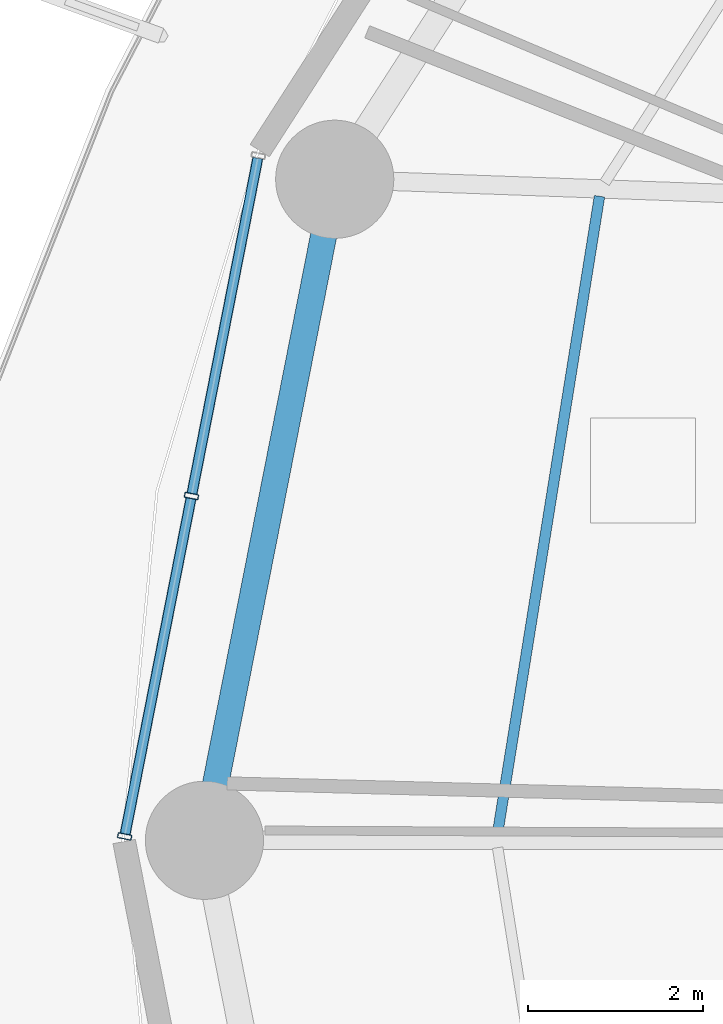
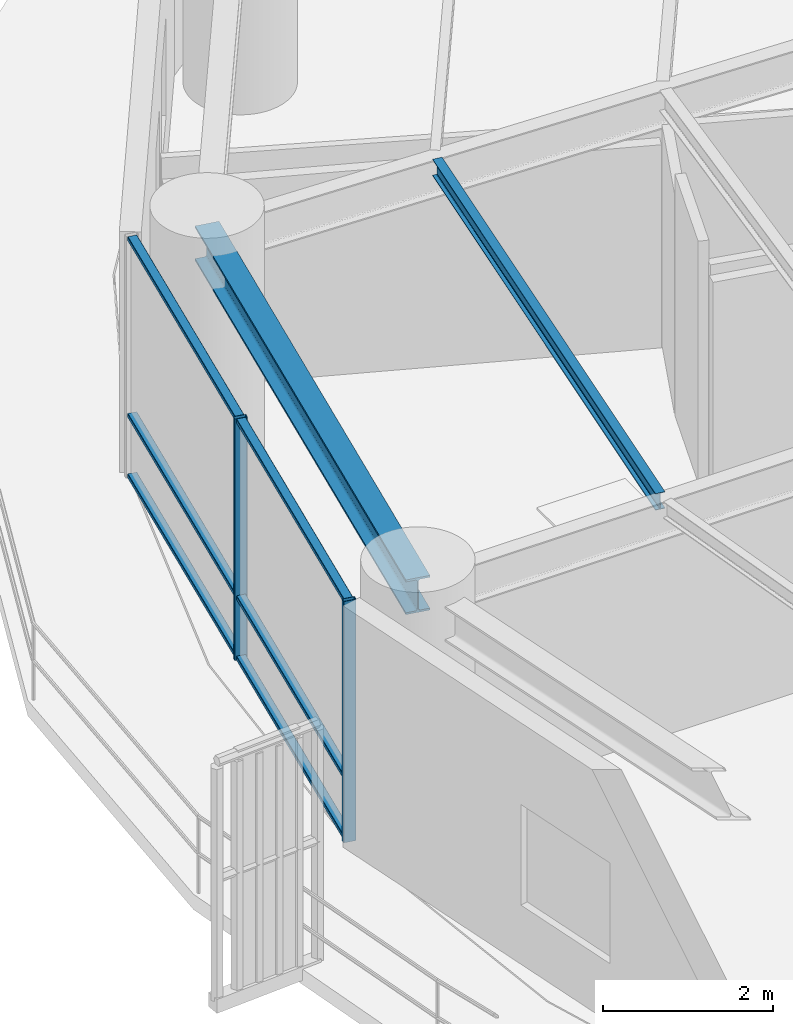
# One storey, part 6 of 34: 8 members, 2 beams, 1 element without a shape of its own.
"""IFC4 building model written with IfcOpenShell, lengths in metres."""

from ifc_helpers import new_model, si_unit, direction, frame, origin, origin_2d, place, context, subcontext, project, spatial, hollow_rectangle, i_section, extrude, material, layer, layer_set, material_profile, profile_set, type_object, element, aggregate, save


model = new_model("IFC4")

# Units and contexts
model_context = context("Model", 3, precision=1e-05, world=origin(), true_north=direction((0.0, 1.0)))
body_context = subcontext(model_context, "Body", "Model", "MODEL_VIEW")
ifc_project = project(units=[si_unit("LENGTHUNIT", "METRE"), si_unit("AREAUNIT", "SQUARE_METRE"), si_unit("VOLUMEUNIT", "CUBIC_METRE"), si_unit("PLANEANGLEUNIT", "RADIAN"), si_unit("MASSUNIT", "GRAM", prefix="KILO")], contexts=[model_context])

# Site, building, storey
site_placement = place(None, origin())
site = spatial("IfcSite", under=ifc_project, at=site_placement, CompositionType="ELEMENT")
building_placement = place(site_placement, origin())
building = spatial("IfcBuilding", under=site, at=building_placement, Name="Kelanora Arch Commons", CompositionType="ELEMENT")
storey_placement = place(building_placement, frame((0.0, 0.0, 76.35009765625)))
storey = spatial("IfcBuildingStorey", under=building, at=storey_placement, Name="L19", CompositionType="ELEMENT", Elevation=76.35009765625)

# Beams
ifc_material_1 = material(Name="Steel S355", Category="steel")
ifc_material_profile_1 = material_profile(ifc_material_1, i_section(OverallWidth=0.1201171875, OverallDepth=0.239990234375, WebThickness=0.006103515625, FlangeThickness=0.009765625, FilletRadius=0.014892578125, at=origin_2d()), Name="IPE240")
ifc_profile_set_1 = profile_set([ifc_material_profile_1], Name="Steel S355")
beam_type_1 = type_object("IfcBeamType", Name="BM-JST-02", PredefinedType="JOIST", material=ifc_profile_set_1)
beam_1_placement = place(storey_placement, frame((53.833251953125, 65.357421875, 3.369873046875), z_axis=(-0.157999549894, -0.987439184068, 0.0), x_axis=(0.987439184068, -0.157999549894, 0.0)))
element("IfcBeam", 1, at=beam_1_placement, inside=storey, type_object=beam_type_1, Name="Secondary Chord Joist BJC-16 L19", PredefinedType="JOIST", context=body_context, shape_type="SweptSolid", body=[
    extrude(i_section(OverallWidth=0.1201171875, OverallDepth=0.239990234375, WebThickness=0.006103515625, FlangeThickness=0.009765625, FilletRadius=0.014892578125, at=origin_2d()), origin(), (0.0, 0.0, 1.0), 7.365966796875),
])
ifc_material_profile_2 = material_profile(ifc_material_1, i_section(OverallWidth=0.300048828125, OverallDepth=0.5, WebThickness=0.014404296875, FlangeThickness=0.028076171875, FilletRadius=0.027099609375, at=origin_2d()), Name="HEB500")
ifc_profile_set_2 = profile_set([ifc_material_profile_2], Name="Steel S355")
beam_type_2 = type_object("IfcBeamType", Name="BM-SPN-Z2", PredefinedType="SPANDREL", material=ifc_profile_set_2)
beam_2_placement = place(storey_placement, frame((50.808349609375, 65.5517578125, 3.239990234375), z_axis=(-0.19335825777, -0.981128220037, 0.0), x_axis=(0.981128220037, -0.19335825777, 0.0)))
element("IfcBeam", 2, at=beam_2_placement, inside=storey, type_object=beam_type_2, Name="Perimeter Spandrel Beam BS-16 L19", PredefinedType="SPANDREL", context=body_context, shape_type="SweptSolid", body=[
    extrude(i_section(OverallWidth=0.300048828125, OverallDepth=0.5, WebThickness=0.014404296875, FlangeThickness=0.028076171875, FilletRadius=0.027099609375, at=origin_2d()), origin(), (0.0, 0.0, 1.0), 7.697021484375),
])

# Curtain wall, members
ifc_material_2 = material(Name="Terracotta ceramic-fritted low-E glass and aluminium", Category="masonry")
ifc_layer = layer(ifc_material_2, 0.159912109375)
ifc_layer_set = layer_set([ifc_layer], Name="Terracotta ceramic-fritted low-E glass and aluminium")
curtain_wall_type = type_object("IfcCurtainWallType", Name="CW-SYS-01", PredefinedType="NOTDEFINED", material=ifc_layer_set)
curtain_wall_placement = place(storey_placement, origin())
curtain_wall = element("IfcCurtainWall", 3, at=curtain_wall_placement, inside=storey, type_object=curtain_wall_type, Name="Unitised Curtain Wall L19-B08", PredefinedType="NOTDEFINED")
ifc_material_3 = material(Name="Powder-coated aluminium terracotta", Category="masonry")
ifc_material_profile_3 = material_profile(ifc_material_3, hollow_rectangle(XDim=0.159912109375, YDim=0.06005859375, WallThickness=0.0048828125, InnerFilletRadius=0.0048828125, OuterFilletRadius=0.010009765625, at=origin_2d()), Name="CWM160x60")
ifc_profile_set_3 = profile_set([ifc_material_profile_3], Name="Powder-coated aluminium terracotta")
member_type_1 = type_object("IfcMemberType", Name="CWM-STD", PredefinedType="MULLION", material=ifc_profile_set_3)
member_1_placement = place(storey_placement, frame((49.171875, 61.933349609375, 0.0), z_axis=(0.0, 0.0, 1.0), x_axis=(0.981280311646, -0.192584916272, 0.0)))
member_1 = element("IfcMember", 4, at=member_1_placement, type_object=member_type_1, Name="CW-01 mullion 2", PredefinedType="MULLION", context=body_context, shape_type="SweptSolid", body=[
    extrude(hollow_rectangle(XDim=0.159912109375, YDim=0.06005859375, WallThickness=0.0048828125, InnerFilletRadius=0.0048828125, OuterFilletRadius=0.010009765625, at=origin_2d()), origin(), (0.0, 0.0, 1.0), 3.474853515625),
])
member_2_placement = place(storey_placement, frame((48.40869140625, 58.044189453125, 0.0), z_axis=(0.0, 0.0, 1.0), x_axis=(0.981280311646, -0.192584916272, 0.0)))
member_2 = element("IfcMember", 5, at=member_2_placement, type_object=member_type_1, Name="CW-01 mullion 3", PredefinedType="MULLION", context=body_context, shape_type="SweptSolid", body=[
    extrude(hollow_rectangle(XDim=0.159912109375, YDim=0.06005859375, WallThickness=0.0048828125, InnerFilletRadius=0.0048828125, OuterFilletRadius=0.010009765625, at=origin_2d()), origin(), (0.0, 0.0, 1.0), 3.474853515625),
])
ifc_material_profile_4 = material_profile(ifc_material_3, hollow_rectangle(XDim=0.1201171875, YDim=0.06005859375, WallThickness=0.0048828125, InnerFilletRadius=0.0048828125, OuterFilletRadius=0.010009765625, at=origin_2d()), Name="CWT120x60")
ifc_profile_set_4 = profile_set([ifc_material_profile_4], Name="Powder-coated aluminium terracotta")
member_type_2 = type_object("IfcMemberType", Name="CWT-STD", PredefinedType="USERDEFINED", material=ifc_profile_set_4)
member_3_placement = place(storey_placement, frame((49.929443359375, 65.79296875, 0.02978515625), z_axis=(-0.192578614785, -0.981281548348, 0.0), x_axis=(0.981281548348, -0.192578614785, 0.0)))
member_3 = element("IfcMember", 6, at=member_3_placement, type_object=member_type_2, Name="CW-01 transom 1.1", ObjectType="TRANSOM", PredefinedType="USERDEFINED", context=body_context, shape_type="SweptSolid", body=[
    extrude(hollow_rectangle(XDim=0.1201171875, YDim=0.06005859375, WallThickness=0.0048828125, InnerFilletRadius=0.0048828125, OuterFilletRadius=0.010009765625, at=origin_2d()), origin(), (0.0, 0.0, 1.0), 3.9033203125),
])
member_4_placement = place(storey_placement, frame((49.929443359375, 65.79296875, 0.89990234375), z_axis=(-0.192578614785, -0.981281548348, 0.0), x_axis=(0.981281548348, -0.192578614785, 0.0)))
member_4 = element("IfcMember", 7, at=member_4_placement, type_object=member_type_2, Name="CW-01 transom 1.2", ObjectType="TRANSOM", PredefinedType="USERDEFINED", context=body_context, shape_type="SweptSolid", body=[
    extrude(hollow_rectangle(XDim=0.1201171875, YDim=0.06005859375, WallThickness=0.0048828125, InnerFilletRadius=0.0048828125, OuterFilletRadius=0.010009765625, at=origin_2d()), origin(), (0.0, 0.0, 1.0), 3.9033203125),
])
member_5_placement = place(storey_placement, frame((49.929443359375, 65.79296875, 3.44482421875), z_axis=(-0.192578614785, -0.981281548348, 0.0), x_axis=(0.981281548348, -0.192578614785, 0.0)))
member_5 = element("IfcMember", 8, at=member_5_placement, type_object=member_type_2, Name="CW-01 transom 1.3", ObjectType="TRANSOM", PredefinedType="USERDEFINED", context=body_context, shape_type="SweptSolid", body=[
    extrude(hollow_rectangle(XDim=0.1201171875, YDim=0.06005859375, WallThickness=0.0048828125, InnerFilletRadius=0.0048828125, OuterFilletRadius=0.010009765625, at=origin_2d()), origin(), (0.0, 0.0, 1.0), 3.9033203125),
])
member_6_placement = place(storey_placement, frame((49.166259765625, 61.90380859375, 0.02978515625), z_axis=(-0.192578614785, -0.981281548348, 0.0), x_axis=(0.981281548348, -0.192578614785, 0.0)))
member_6 = element("IfcMember", 9, at=member_6_placement, type_object=member_type_2, Name="CW-01 transom 2.1", ObjectType="TRANSOM", PredefinedType="USERDEFINED", context=body_context, shape_type="SweptSolid", body=[
    extrude(hollow_rectangle(XDim=0.1201171875, YDim=0.06005859375, WallThickness=0.0048828125, InnerFilletRadius=0.0048828125, OuterFilletRadius=0.010009765625, at=origin_2d()), origin(), (0.0, 0.0, 1.0), 3.9033203125),
])
member_7_placement = place(storey_placement, frame((49.166259765625, 61.90380859375, 0.89990234375), z_axis=(-0.192578614785, -0.981281548348, 0.0), x_axis=(0.981281548348, -0.192578614785, 0.0)))
member_7 = element("IfcMember", 10, at=member_7_placement, type_object=member_type_2, Name="CW-01 transom 2.2", ObjectType="TRANSOM", PredefinedType="USERDEFINED", context=body_context, shape_type="SweptSolid", body=[
    extrude(hollow_rectangle(XDim=0.1201171875, YDim=0.06005859375, WallThickness=0.0048828125, InnerFilletRadius=0.0048828125, OuterFilletRadius=0.010009765625, at=origin_2d()), origin(), (0.0, 0.0, 1.0), 3.9033203125),
])
member_8_placement = place(storey_placement, frame((49.166259765625, 61.90380859375, 3.44482421875), z_axis=(-0.192578614785, -0.981281548348, 0.0), x_axis=(0.981281548348, -0.192578614785, 0.0)))
member_8 = element("IfcMember", 11, at=member_8_placement, type_object=member_type_2, Name="CW-01 transom 2.3", ObjectType="TRANSOM", PredefinedType="USERDEFINED", context=body_context, shape_type="SweptSolid", body=[
    extrude(hollow_rectangle(XDim=0.1201171875, YDim=0.06005859375, WallThickness=0.0048828125, InnerFilletRadius=0.0048828125, OuterFilletRadius=0.010009765625, at=origin_2d()), origin(), (0.0, 0.0, 1.0), 3.9033203125),
])
aggregate(curtain_wall, [member_1, member_2, member_3, member_4, member_5, member_6, member_7, member_8])

save(model, "model.ifc")
